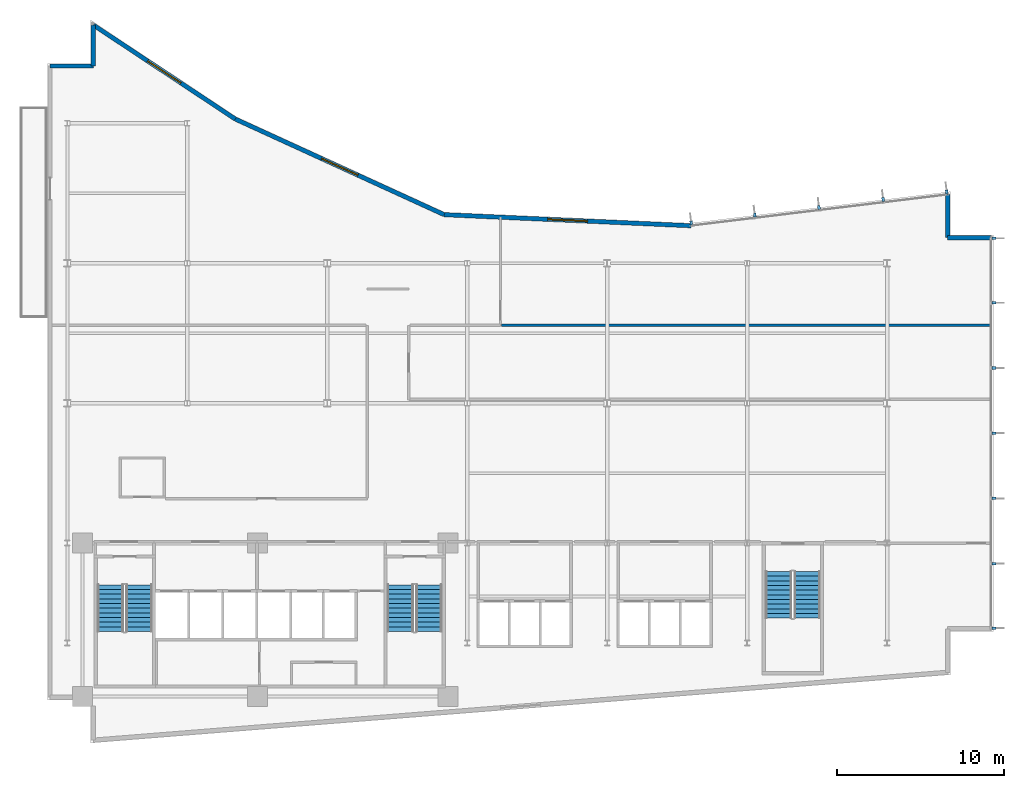
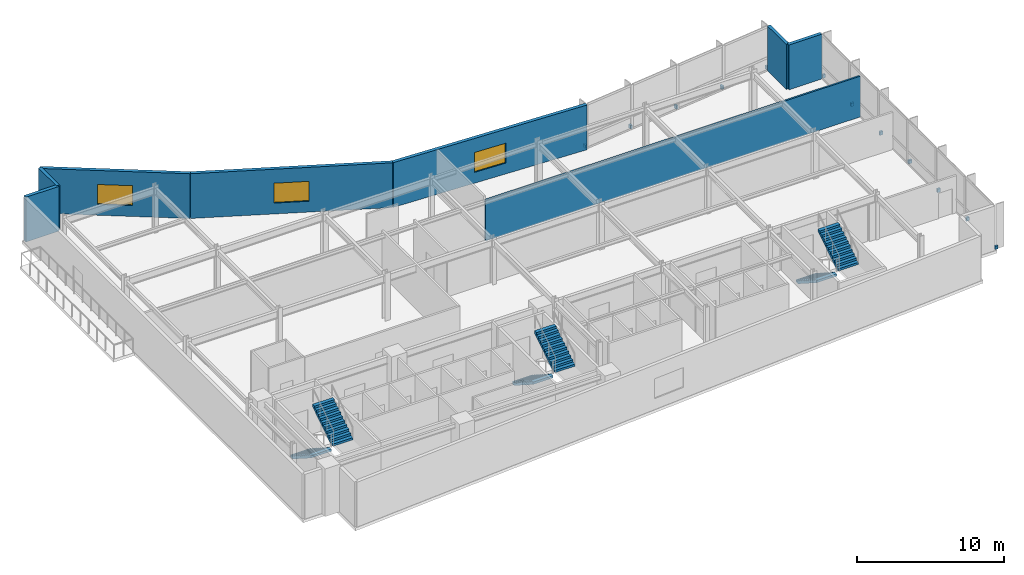
# One storey, part 12 of 17: 12 discrete accessories, 8 walls, 6 stair flights, 3 windows, 3 openings, 3 elements without a shape of their own.
"""IFC4 building model written with IfcOpenShell, lengths in metres."""

from ifc_helpers import new_model, si_unit, direction, frame, frame_2d, origin, origin_2d, place, context, subcontext, project, spatial, polyline, rectangle, outline, extrude, material, layer, layer_set, type_object, element, fill, aggregate, save


model = new_model("IFC4")

# Units and contexts
model_context = context("Model", 3, precision=1e-05, world=origin(), true_north=direction((0.0, 1.0)))
body_context = subcontext(model_context, "Body", "Model", "MODEL_VIEW")
ifc_project = project(units=[si_unit("LENGTHUNIT", "METRE"), si_unit("AREAUNIT", "SQUARE_METRE"), si_unit("VOLUMEUNIT", "CUBIC_METRE"), si_unit("PLANEANGLEUNIT", "RADIAN"), si_unit("MASSUNIT", "GRAM", prefix="KILO")], contexts=[model_context])

# Site, building, storey
site_placement = place(None, origin())
site = spatial("IfcSite", under=ifc_project, at=site_placement, CompositionType="ELEMENT")
building_placement = place(site_placement, origin())
building = spatial("IfcBuilding", under=site, at=building_placement, Name="Varnakote Quay Hospital", CompositionType="ELEMENT")
storey_placement = place(building_placement, frame((0.0, 0.0, 103.35009765625)))
storey = spatial("IfcBuildingStorey", under=building, at=storey_placement, Name="L25", CompositionType="ELEMENT", Elevation=103.35009765625)

# Walls
ifc_material_1 = material(Name="Precast concrete N50 (f'c 50 MPa)", Category="concrete")
ifc_layer_1 = layer(ifc_material_1, 0.260009765625)
ifc_layer_set_1 = layer_set([ifc_layer_1], Name="Precast concrete N50 (f'c 50 MPa)")
wall_type_1 = type_object("IfcWallType", Name="WL-EXT-BRICK-260", PredefinedType="STANDARD", material=ifc_layer_set_1)
wall_1_placement = place(storey_placement, frame((56.639892578125, 30.340087890625, 0.0), z_axis=(0.0, 0.0, 1.0), x_axis=(-1.0, 0.0, 0.0)))
element("IfcWall", 1, at=wall_1_placement, inside=storey, type_object=wall_type_1, Name="L25 Brick-Faced Precast Exterior Wall", PredefinedType="STANDARD", context=body_context, shape_type="SweptSolid", body=[
    extrude(rectangle(XDim=2.599853515625, YDim=0.260009765625, at=frame_2d((1.2998046875, 0.0))), origin(), (0.0, 0.0, 1.0), 3.7099609375),
])
wall_2_placement = place(storey_placement, frame((54.0400390625, 30.340087890625, 0.0), z_axis=(0.0, 0.0, 1.0), x_axis=(0.0, 1.0, 0.0)))
element("IfcWall", 2, at=wall_2_placement, inside=storey, type_object=wall_type_1, Name="L25 Brick-Faced Precast Exterior Wall", PredefinedType="STANDARD", context=body_context, shape_type="SweptSolid", body=[
    extrude(rectangle(XDim=2.579345703125, YDim=0.260009765625, at=frame_2d((1.28955078125, 0.0))), origin(), (0.0, 0.0, 1.0), 3.7099609375),
])

# Wall, opening, window
wall_3_placement = place(storey_placement, frame((38.630126953125, 31.051513671875, 0.0), z_axis=(0.0, 0.0, 1.0), x_axis=(-0.998996592956, 0.044786239663, 0.0)))
wall_3 = element("IfcWall", 3, at=wall_3_placement, inside=storey, type_object=wall_type_1, Name="L25 Brick-Faced Precast Exterior Wall", PredefinedType="STANDARD", context=body_context, shape_type="SweptSolid", body=[
    extrude(rectangle(XDim=14.827392578125, YDim=0.260009765625, at=frame_2d((7.41357421875, 0.0))), origin(), (0.0, 0.0, 1.0), 3.7099609375),
])
opening_1_placement = place(wall_3_placement, frame((6.213623046875, 0.0, 0.89990234375)))
opening_1 = element("IfcOpeningElement", 4, at=opening_1_placement, cuts=wall_3, Name="Opening WN-0111", PredefinedType="OPENING", context=body_context, shape_type="SweptSolid", body=[
    extrude(rectangle(XDim=2.39990234375, YDim=1.64990234375, at=frame_2d((1.199951171875, 0.824951171875))), frame((0.0, 0.139892578125, 0.0), z_axis=(0.0, -1.0, 0.0), x_axis=(1.0, 0.0, 0.0)), (0.0, 0.0, 1.0), 0.280029296875),
])
ifc_material_2 = material(Name="Double-glazed low-E solar glass", Category="glass")
window_type = type_object("IfcWindowType", Name="WIN-CLIN-2400x1650", PartitioningType="SINGLE_PANEL", PredefinedType="WINDOW", material=ifc_material_2)
window_1_placement = place(opening_1_placement, origin())
window_1 = element("IfcWindow", 5, at=window_1_placement, inside=storey, type_object=window_type, Name="L25 Solar-Control Clinical Window", OverallHeight=1.64990234375, OverallWidth=2.39990234375, PartitioningType="SINGLE_PANEL", PredefinedType="WINDOW", context=body_context, shape_type="SweptSolid", body=[
    extrude(rectangle(XDim=2.39990234375, YDim=1.64990234375, at=frame_2d((1.199951171875, 0.824951171875))), frame((0.0, 0.030029296875, 0.0), z_axis=(0.0, -1.0, 0.0), x_axis=(1.0, 0.0, 0.0)), (0.0, 0.0, 1.0), 0.06005859375),
])
fill(opening_1, window_1)

wall_4_placement = place(storey_placement, frame((23.817626953125, 31.715576171875, 0.0), z_axis=(0.0, 0.0, 1.0), x_axis=(-0.909209527513, 0.416338846471, 0.0)))
wall_4 = element("IfcWall", 6, at=wall_4_placement, inside=storey, type_object=wall_type_1, Name="L25 Brick-Faced Precast Exterior Wall", PredefinedType="STANDARD", context=body_context, shape_type="SweptSolid", body=[
    extrude(rectangle(XDim=13.787353515625, YDim=0.260009765625, at=frame_2d((6.8935546875, 0.0))), origin(), (0.0, 0.0, 1.0), 3.7099609375),
])
opening_2_placement = place(wall_4_placement, frame((5.693603515625, 0.0, 0.89990234375)))
opening_2 = element("IfcOpeningElement", 7, at=opening_2_placement, cuts=wall_4, Name="Opening WN-0112", PredefinedType="OPENING", context=body_context, shape_type="SweptSolid", body=[
    extrude(rectangle(XDim=2.39990234375, YDim=1.64990234375, at=frame_2d((1.199951171875, 0.824951171875))), frame((0.0, 0.139892578125, 0.0), z_axis=(0.0, -1.0, 0.0), x_axis=(1.0, 0.0, 0.0)), (0.0, 0.0, 1.0), 0.280029296875),
])
window_2_placement = place(opening_2_placement, origin())
window_2 = element("IfcWindow", 8, at=window_2_placement, inside=storey, type_object=window_type, Name="L25 Solar-Control Clinical Window", OverallHeight=1.64990234375, OverallWidth=2.39990234375, PartitioningType="SINGLE_PANEL", PredefinedType="WINDOW", context=body_context, shape_type="SweptSolid", body=[
    extrude(rectangle(XDim=2.39990234375, YDim=1.64990234375, at=frame_2d((1.199951171875, 0.824951171875))), frame((0.0, 0.030029296875, 0.0), z_axis=(0.0, -1.0, 0.0), x_axis=(1.0, 0.0, 0.0)), (0.0, 0.0, 1.0), 0.06005859375),
])
fill(opening_2, window_2)

wall_5_placement = place(storey_placement, frame((11.281982421875, 37.455810546875, 0.0), z_axis=(0.0, 0.0, 1.0), x_axis=(-0.833630474253, 0.552322580017, 0.0)))
wall_5 = element("IfcWall", 9, at=wall_5_placement, inside=storey, type_object=wall_type_1, Name="L25 Brick-Faced Precast Exterior Wall", PredefinedType="STANDARD", context=body_context, shape_type="SweptSolid", body=[
    extrude(rectangle(XDim=10.22265625, YDim=0.260009765625, at=frame_2d((5.111328125, 0.0))), origin(), (0.0, 0.0, 1.0), 3.7099609375),
])
opening_3_placement = place(wall_5_placement, frame((3.911376953125, 0.0, 0.89990234375)))
opening_3 = element("IfcOpeningElement", 10, at=opening_3_placement, cuts=wall_5, Name="Opening WN-0113", PredefinedType="OPENING", context=body_context, shape_type="SweptSolid", body=[
    extrude(rectangle(XDim=2.39990234375, YDim=1.64990234375, at=frame_2d((1.199951171875, 0.824951171875))), frame((0.0, 0.139892578125, 0.0), z_axis=(0.0, -1.0, 0.0), x_axis=(1.0, 0.0, 0.0)), (0.0, 0.0, 1.0), 0.280029296875),
])
window_3_placement = place(opening_3_placement, origin())
window_3 = element("IfcWindow", 11, at=window_3_placement, inside=storey, type_object=window_type, Name="L25 Solar-Control Clinical Window", OverallHeight=1.64990234375, OverallWidth=2.39990234375, PartitioningType="SINGLE_PANEL", PredefinedType="WINDOW", context=body_context, shape_type="SweptSolid", body=[
    extrude(rectangle(XDim=2.39990234375, YDim=1.64990234375, at=frame_2d((1.199951171875, 0.824951171875))), frame((0.0, 0.030029296875, 0.0), z_axis=(0.0, -1.0, 0.0), x_axis=(1.0, 0.0, 0.0)), (0.0, 0.0, 1.0), 0.06005859375),
])
fill(opening_3, window_3)

# Walls
wall_6_placement = place(storey_placement, frame((2.760009765625, 43.10205078125, 0.0), z_axis=(0.0, 0.0, 1.0), x_axis=(0.0, -1.0, 0.0)))
element("IfcWall", 12, at=wall_6_placement, inside=storey, type_object=wall_type_1, Name="L25 Brick-Faced Precast Exterior Wall", PredefinedType="STANDARD", context=body_context, shape_type="SweptSolid", body=[
    extrude(rectangle(XDim=2.462158203125, YDim=0.260009765625, at=frame_2d((1.23095703125, 0.0))), origin(), (0.0, 0.0, 1.0), 3.7099609375),
])
wall_7_placement = place(storey_placement, frame((2.760009765625, 40.639892578125, 0.0), z_axis=(0.0, 0.0, 1.0), x_axis=(-1.0, 0.0, 0.0)))
element("IfcWall", 13, at=wall_7_placement, inside=storey, type_object=wall_type_1, Name="L25 Brick-Faced Precast Exterior Wall", PredefinedType="STANDARD", context=body_context, shape_type="SweptSolid", body=[
    extrude(rectangle(XDim=2.60009765625, YDim=0.260009765625, at=frame_2d((1.300048828125, 0.0))), origin(), (0.0, 0.0, 1.0), 3.7099609375),
])
ifc_material_3 = material(Name="Smoke-proof clinical partition", Category="gypsum")
ifc_layer_2 = layer(ifc_material_3, 0.135009765625)
ifc_layer_set_2 = layer_set([ifc_layer_2], Name="Smoke-proof clinical partition")
wall_type_2 = type_object("IfcWallType", Name="WL-SMOKE-135", PredefinedType="PARTITIONING", material=ifc_layer_set_2)
wall_8_placement = place(storey_placement, frame((27.264892578125, 25.080078125, 0.0), z_axis=(0.0, 0.0, 1.0), x_axis=(1.0, 0.0, 0.0)))
element("IfcWall", 14, at=wall_8_placement, inside=storey, type_object=wall_type_2, Name="L25 Clinical Interior Partition", PredefinedType="PARTITIONING", context=body_context, shape_type="SweptSolid", body=[
    extrude(rectangle(XDim=29.375, YDim=0.135009765625, at=frame_2d((14.6875, 0.0))), origin(), (0.0, 0.0, 1.0), 3.380859375),
])

# Stair, stair flights
ifc_material_4 = material(Name="Concrete N40 (f'c 40 MPa)", Category="concrete")
stair_type = type_object("IfcStairType", Name="STR-CORE-1580", PredefinedType="HALF_TURN_STAIR", material=ifc_material_4)
stair_1_placement = place(storey_placement, origin())
stair_1 = element("IfcStair", 15, at=stair_1_placement, inside=storey, type_object=stair_type, Name="L25 Fire-Isolated Exit Stair ST-01", PredefinedType="HALF_TURN_STAIR")
ifc_material_5 = material(Name="Concrete N40 (f'c 40 MPa)", Category="concrete")
ifc_layer_3 = layer(ifc_material_5, 0.159912109375)
ifc_layer_set_3 = layer_set([ifc_layer_3], Name="Concrete N40 (f'c 40 MPa)")
stair_flight_type = type_object("IfcStairFlightType", Name="FLT-CORE-1580", PredefinedType="STRAIGHT", material=ifc_layer_set_3)
stair_flight_1_placement = place(storey_placement, frame((3.7900390625, 9.5, 0.0), z_axis=(0.0, 0.0, 1.0), x_axis=(0.0, -1.0, 0.0)))
stair_flight_1 = element("IfcStairFlight", 16, at=stair_flight_1_placement, type_object=stair_flight_type, Name="ST-01 flight 1", NumberOfRisers=11, NumberOfTreads=10, PredefinedType="STRAIGHT", RiserHeight=0.179545455, TreadLength=0.28, context=body_context, shape_type="SweptSolid", body=[
    extrude(outline(polyline([(0.0, 0.0), (0.0, 0.179443359375), (0.280029296875, 0.179443359375), (0.280029296875, 0.359130859375), (0.56005859375, 0.359130859375), (0.56005859375, 0.53857421875), (0.840087890625, 0.53857421875), (0.840087890625, 0.71826171875), (1.1201171875, 0.71826171875), (1.1201171875, 0.897705078125), (1.39990234375, 0.897705078125), (1.39990234375, 1.077392578125), (1.679931640625, 1.077392578125), (1.679931640625, 1.2568359375), (1.9599609375, 1.2568359375), (1.9599609375, 1.436279296875), (2.239990234375, 1.436279296875), (2.239990234375, 1.615966796875), (2.52001953125, 1.615966796875), (2.52001953125, 1.79541015625), (2.800048828125, 1.79541015625), (2.800048828125, 1.97509765625), (2.800048828125, 1.60546875), (0.296142578125, 0.0), (0.0, 0.0)])), frame((0.0, 0.7900390625, 0.0), z_axis=(0.0, -1.0, 0.0), x_axis=(1.0, 0.0, 0.0)), (0.0, 0.0, 1.0), 1.580078125),
])
stair_flight_2_placement = place(storey_placement, frame((5.510009765625, 6.699951171875, 1.974853515625), z_axis=(0.0, 0.0, 1.0), x_axis=(0.0, 1.0, 0.0)))
stair_flight_2 = element("IfcStairFlight", 17, at=stair_flight_2_placement, type_object=stair_flight_type, Name="ST-01 flight 2", NumberOfRisers=11, NumberOfTreads=10, PredefinedType="STRAIGHT", RiserHeight=0.179545455, TreadLength=0.28, context=body_context, shape_type="SweptSolid", body=[
    extrude(outline(polyline([(0.0, 0.0), (0.0, 0.179443359375), (0.280029296875, 0.179443359375), (0.280029296875, 0.359130859375), (0.56005859375, 0.359130859375), (0.56005859375, 0.53857421875), (0.840087890625, 0.53857421875), (0.840087890625, 0.71826171875), (1.1201171875, 0.71826171875), (1.1201171875, 0.897705078125), (1.39990234375, 0.897705078125), (1.39990234375, 1.077392578125), (1.679931640625, 1.077392578125), (1.679931640625, 1.2568359375), (1.9599609375, 1.2568359375), (1.9599609375, 1.436279296875), (2.239990234375, 1.436279296875), (2.239990234375, 1.615966796875), (2.52001953125, 1.615966796875), (2.52001953125, 1.79541015625), (2.800048828125, 1.79541015625), (2.800048828125, 1.97509765625), (2.800048828125, 1.60546875), (0.296142578125, 0.0), (0.0, 0.0)])), frame((0.0, 0.7900390625, 0.0), z_axis=(0.0, -1.0, 0.0), x_axis=(1.0, 0.0, 0.0)), (0.0, 0.0, 1.0), 1.580078125),
])
aggregate(stair_1, [stair_flight_1, stair_flight_2])

stair_2_placement = place(storey_placement, origin())
stair_2 = element("IfcStair", 18, at=stair_2_placement, inside=storey, type_object=stair_type, Name="L25 Fire-Isolated Exit Stair ST-02", PredefinedType="HALF_TURN_STAIR")
stair_flight_3_placement = place(storey_placement, frame((21.18994140625, 9.5, 0.0), z_axis=(0.0, 0.0, 1.0), x_axis=(0.0, -1.0, 0.0)))
stair_flight_3 = element("IfcStairFlight", 19, at=stair_flight_3_placement, type_object=stair_flight_type, Name="ST-02 flight 1", NumberOfRisers=11, NumberOfTreads=10, PredefinedType="STRAIGHT", RiserHeight=0.179545455, TreadLength=0.28, context=body_context, shape_type="SweptSolid", body=[
    extrude(outline(polyline([(0.0, 0.0), (0.0, 0.179443359375), (0.280029296875, 0.179443359375), (0.280029296875, 0.359130859375), (0.56005859375, 0.359130859375), (0.56005859375, 0.53857421875), (0.840087890625, 0.53857421875), (0.840087890625, 0.71826171875), (1.1201171875, 0.71826171875), (1.1201171875, 0.897705078125), (1.39990234375, 0.897705078125), (1.39990234375, 1.077392578125), (1.679931640625, 1.077392578125), (1.679931640625, 1.2568359375), (1.9599609375, 1.2568359375), (1.9599609375, 1.436279296875), (2.239990234375, 1.436279296875), (2.239990234375, 1.615966796875), (2.52001953125, 1.615966796875), (2.52001953125, 1.79541015625), (2.800048828125, 1.79541015625), (2.800048828125, 1.97509765625), (2.800048828125, 1.60546875), (0.296142578125, 0.0), (0.0, 0.0)])), frame((0.0, 0.7900390625, 0.0), z_axis=(0.0, -1.0, 0.0), x_axis=(1.0, 0.0, 0.0)), (0.0, 0.0, 1.0), 1.580078125),
])
stair_flight_4_placement = place(storey_placement, frame((22.909912109375, 6.699951171875, 1.974853515625), z_axis=(0.0, 0.0, 1.0), x_axis=(0.0, 1.0, 0.0)))
stair_flight_4 = element("IfcStairFlight", 20, at=stair_flight_4_placement, type_object=stair_flight_type, Name="ST-02 flight 2", NumberOfRisers=11, NumberOfTreads=10, PredefinedType="STRAIGHT", RiserHeight=0.179545455, TreadLength=0.28, context=body_context, shape_type="SweptSolid", body=[
    extrude(outline(polyline([(0.0, 0.0), (0.0, 0.179443359375), (0.280029296875, 0.179443359375), (0.280029296875, 0.359130859375), (0.56005859375, 0.359130859375), (0.56005859375, 0.53857421875), (0.840087890625, 0.53857421875), (0.840087890625, 0.71826171875), (1.1201171875, 0.71826171875), (1.1201171875, 0.897705078125), (1.39990234375, 0.897705078125), (1.39990234375, 1.077392578125), (1.679931640625, 1.077392578125), (1.679931640625, 1.2568359375), (1.9599609375, 1.2568359375), (1.9599609375, 1.436279296875), (2.239990234375, 1.436279296875), (2.239990234375, 1.615966796875), (2.52001953125, 1.615966796875), (2.52001953125, 1.79541015625), (2.800048828125, 1.79541015625), (2.800048828125, 1.97509765625), (2.800048828125, 1.60546875), (0.296142578125, 0.0), (0.0, 0.0)])), frame((0.0, 0.7900390625, 0.0), z_axis=(0.0, -1.0, 0.0), x_axis=(1.0, 0.0, 0.0)), (0.0, 0.0, 1.0), 1.580078125),
])
aggregate(stair_2, [stair_flight_3, stair_flight_4])

stair_3_placement = place(storey_placement, origin())
stair_3 = element("IfcStair", 21, at=stair_3_placement, inside=storey, type_object=stair_type, Name="L25 Fire-Isolated Exit Stair ST-03", PredefinedType="HALF_TURN_STAIR")
stair_flight_5_placement = place(storey_placement, frame((43.889892578125, 10.300048828125, 0.0), z_axis=(0.0, 0.0, 1.0), x_axis=(0.0, -1.0, 0.0)))
stair_flight_5 = element("IfcStairFlight", 22, at=stair_flight_5_placement, type_object=stair_flight_type, Name="ST-03 flight 1", NumberOfRisers=11, NumberOfTreads=10, PredefinedType="STRAIGHT", RiserHeight=0.179545455, TreadLength=0.28, context=body_context, shape_type="SweptSolid", body=[
    extrude(outline(polyline([(0.0, 0.0), (0.0, 0.179443359375), (0.280029296875, 0.179443359375), (0.280029296875, 0.359130859375), (0.56005859375, 0.359130859375), (0.56005859375, 0.53857421875), (0.840087890625, 0.53857421875), (0.840087890625, 0.71826171875), (1.1201171875, 0.71826171875), (1.1201171875, 0.897705078125), (1.39990234375, 0.897705078125), (1.39990234375, 1.077392578125), (1.679931640625, 1.077392578125), (1.679931640625, 1.2568359375), (1.9599609375, 1.2568359375), (1.9599609375, 1.436279296875), (2.239990234375, 1.436279296875), (2.239990234375, 1.615966796875), (2.52001953125, 1.615966796875), (2.52001953125, 1.79541015625), (2.800048828125, 1.79541015625), (2.800048828125, 1.97509765625), (2.800048828125, 1.60546875), (0.296142578125, 0.0), (0.0, 0.0)])), frame((0.0, 0.7900390625, 0.0), z_axis=(0.0, -1.0, 0.0), x_axis=(1.0, 0.0, 0.0)), (0.0, 0.0, 1.0), 1.580078125),
])
stair_flight_6_placement = place(storey_placement, frame((45.610107421875, 7.5, 1.974853515625), z_axis=(0.0, 0.0, 1.0), x_axis=(0.0, 1.0, 0.0)))
stair_flight_6 = element("IfcStairFlight", 23, at=stair_flight_6_placement, type_object=stair_flight_type, Name="ST-03 flight 2", NumberOfRisers=11, NumberOfTreads=10, PredefinedType="STRAIGHT", RiserHeight=0.179545455, TreadLength=0.28, context=body_context, shape_type="SweptSolid", body=[
    extrude(outline(polyline([(0.0, 0.0), (0.0, 0.179443359375), (0.280029296875, 0.179443359375), (0.280029296875, 0.359130859375), (0.56005859375, 0.359130859375), (0.56005859375, 0.53857421875), (0.840087890625, 0.53857421875), (0.840087890625, 0.71826171875), (1.1201171875, 0.71826171875), (1.1201171875, 0.897705078125), (1.39990234375, 0.897705078125), (1.39990234375, 1.077392578125), (1.679931640625, 1.077392578125), (1.679931640625, 1.2568359375), (1.9599609375, 1.2568359375), (1.9599609375, 1.436279296875), (2.239990234375, 1.436279296875), (2.239990234375, 1.615966796875), (2.52001953125, 1.615966796875), (2.52001953125, 1.79541015625), (2.800048828125, 1.79541015625), (2.800048828125, 1.97509765625), (2.800048828125, 1.60546875), (0.296142578125, 0.0), (0.0, 0.0)])), frame((0.0, 0.7900390625, 0.0), z_axis=(0.0, -1.0, 0.0), x_axis=(1.0, 0.0, 0.0)), (0.0, 0.0, 1.0), 1.580078125),
])
aggregate(stair_3, [stair_flight_5, stair_flight_6])

# Discrete accessories
ifc_material_6 = material(Name="Anodised aluminium 6063-T6 Bronze", Category="aluminium")
discrete_accessory_type = type_object("IfcDiscreteAccessoryType", Name="ACC-FIN-BRACKET-180", PredefinedType="BRACKET", material=ifc_material_6)
for number, where, z_axis, x_axis, name in (
    (24, (56.81005859375, 6.8974609375, 0.0), (0.0, 0.0, 1.0), (0.0, 1.0, 0.0), "L25 Curtain Wall Fin Fixing Bracket"),
    (25, (56.81005859375, 10.773193359375, 0.0), (0.0, 0.0, 1.0), (0.0, 1.0, 0.0), "L25 Curtain Wall Fin Fixing Bracket"),
    (26, (56.81005859375, 14.686767578125, 0.0), (0.0, 0.0, 1.0), (0.0, 1.0, 0.0), "L25 Curtain Wall Fin Fixing Bracket"),
    (27, (56.81005859375, 18.60009765625, 0.0), (0.0, 0.0, 1.0), (0.0, 1.0, 0.0), "L25 Curtain Wall Fin Fixing Bracket"),
    (28, (56.81005859375, 22.51318359375, 0.0), (0.0, 0.0, 1.0), (0.0, 1.0, 0.0), "L25 Curtain Wall Fin Fixing Bracket"),
    (29, (56.81005859375, 26.4267578125, 0.0), (0.0, 0.0, 1.0), (0.0, 1.0, 0.0), "L25 Curtain Wall Fin Fixing Bracket"),
    (30, (56.81005859375, 30.302490234375, 0.0), (0.0, 0.0, 1.0), (0.0, 1.0, 0.0), "L25 Curtain Wall Fin Fixing Bracket"),
    (31, (53.982421875, 33.083740234375, 0.0), (0.0, 0.0, 1.0), (-0.992736358975, -0.120310105847, 0.0), "L25 Curtain Wall Fin Fixing Bracket"),
    (32, (50.1669921875, 32.62109375, 0.0), (0.0, 0.0, 1.0), (-0.992736358975, -0.120310105847, 0.0), "L25 Curtain Wall Fin Fixing Bracket"),
    (33, (46.314697265625, 32.154296875, 0.0), (0.0, 0.0, 1.0), (-0.992736358975, -0.120310105847, 0.0), "L25 Curtain Wall Fin Fixing Bracket"),
    (34, (42.462158203125, 31.687255859375, 0.0), (0.0, 0.0, 1.0), (-0.992736358975, -0.120310105847, 0.0), "L25 Curtain Wall Fin Fixing Bracket"),
    (35, (38.64697265625, 31.224853515625, 0.0), (0.0, 0.0, 1.0), (-0.992736358975, -0.120310105847, 0.0), "L25 Curtain Wall Fin Fixing Bracket"),
):
    element("IfcDiscreteAccessory", number, at=place(storey_placement, frame(where, z_axis=z_axis, x_axis=x_axis)), inside=storey, type_object=discrete_accessory_type, Name=name, PredefinedType="BRACKET", context=body_context, shape_type="SweptSolid", body=[
        extrude(rectangle(XDim=0.159912109375, YDim=0.239990234375, at=origin_2d()), origin(), (0.0, 0.0, 1.0), 0.280029296875),
    ])

save(model, "model.ifc")
